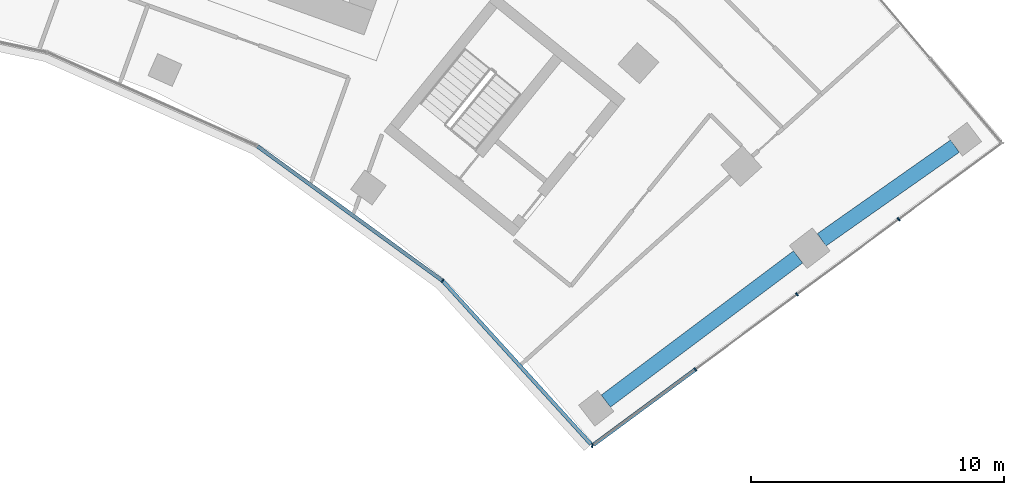
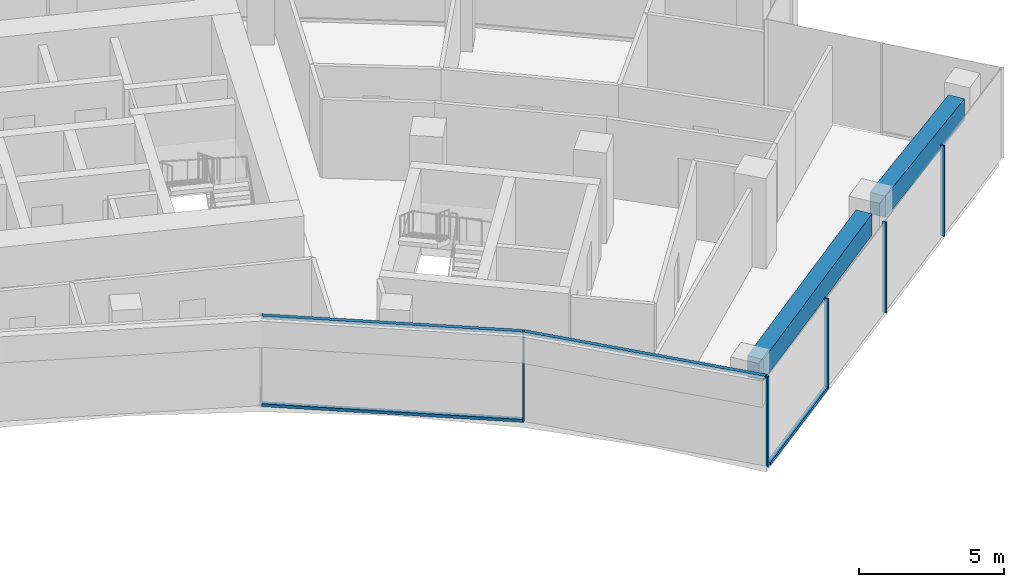
# One storey, part 8 of 19: 9 members, 2 beams, 2 elements without a shape of their own.
"""IFC4 building model written with IfcOpenShell, lengths in metres."""

from ifc_helpers import new_model, si_unit, direction, frame, origin, origin_2d, place, context, subcontext, project, spatial, rectangle, extrude, material, layer, layer_set, material_profile, profile_set, type_object, element, aggregate, save


model = new_model("IFC4")

# Units and contexts
model_context = context("Model", 3, precision=1e-05, world=origin(), true_north=direction((0.0, 1.0)))
body_context = subcontext(model_context, "Body", "Model", "MODEL_VIEW")
ifc_project = project(units=[si_unit("LENGTHUNIT", "METRE"), si_unit("AREAUNIT", "SQUARE_METRE"), si_unit("VOLUMEUNIT", "CUBIC_METRE"), si_unit("PLANEANGLEUNIT", "RADIAN"), si_unit("MASSUNIT", "GRAM", prefix="KILO")], contexts=[model_context])

# Site, building, storey
site_placement = place(None, origin())
site = spatial("IfcSite", under=ifc_project, at=site_placement, CompositionType="ELEMENT")
building_placement = place(site_placement, origin())
building = spatial("IfcBuilding", under=site, at=building_placement, Name="Stone Belt Terrace Tower", CompositionType="ELEMENT")
storey_placement = place(building_placement, frame((0.0, 0.0, 246.60009765625)))
storey = spatial("IfcBuildingStorey", under=building, at=storey_placement, Name="L60", CompositionType="ELEMENT", Elevation=246.60009765625)

# Curtain wall, members
ifc_material_1 = material(Name="Aluminium 6063-T6 anodised frame", Category="aluminium")
ifc_layer_1 = layer(ifc_material_1, 0.14990234375)
ifc_layer_set_1 = layer_set([ifc_layer_1], Name="CW-B unitised concave-face curtain wall")
curtain_wall_type_1 = type_object("IfcCurtainWallType", Name="CW-B unitised concave-face curtain wall", PredefinedType="NOTDEFINED", material=ifc_layer_set_1)
curtain_wall_1_placement = place(storey_placement, origin())
curtain_wall_1 = element("IfcCurtainWall", 1, at=curtain_wall_1_placement, inside=storey, type_object=curtain_wall_type_1, Name="CW-B concave face L60", PredefinedType="NOTDEFINED")
ifc_material_profile_1 = material_profile(ifc_material_1, rectangle(XDim=0.14990234375, YDim=0.050048828125, at=origin_2d()), Name="Aluminium 6063-T6 50x150")
ifc_profile_set_1 = profile_set([ifc_material_profile_1], Name="Aluminium 6063-T6 anodised frame")
member_type_1 = type_object("IfcMemberType", Name="CW-B mullion 50 x 150", PredefinedType="MULLION", material=ifc_profile_set_1)
member_1_placement = place(storey_placement, frame((29.056884765625, 32.270751953125, 0.0), z_axis=(0.0, 0.0, 1.0), x_axis=(0.667655571962, 0.744470306479, 0.0)))
member_1 = element("IfcMember", 2, at=member_1_placement, type_object=member_type_1, Name="CW-B mullion 8", PredefinedType="MULLION", context=body_context, shape_type="SweptSolid", body=[
    extrude(rectangle(XDim=0.14990234375, YDim=0.050048828125, at=origin_2d()), origin(), (0.0, 0.0, 1.0), 3.7998046875),
])
ifc_material_profile_2 = material_profile(ifc_material_1, rectangle(XDim=0.14990234375, YDim=0.1201171875, at=origin_2d()), Name="Aluminium 6063-T6 150x120")
ifc_profile_set_2 = profile_set([ifc_material_profile_2], Name="Aluminium 6063-T6 anodised frame")
member_type_2 = type_object("IfcMemberType", Name="CW-B transom 120 x 150", PredefinedType="USERDEFINED", material=ifc_profile_set_2)
member_2_placement = place(storey_placement, frame((21.73876953125, 37.587646484375, 0.059814453125), z_axis=(0.809012430507, -0.587791533867, 0.0), x_axis=(0.587791533867, 0.809012430507, 0.0)))
member_2 = element("IfcMember", 3, at=member_2_placement, type_object=member_type_2, Name="CW-B transom 7.1", ObjectType="TRANSOM", PredefinedType="USERDEFINED", context=body_context, shape_type="SweptSolid", body=[
    extrude(rectangle(XDim=0.14990234375, YDim=0.1201171875, at=origin_2d()), origin(), (0.0, 0.0, 1.0), 9.01318359375),
])
member_3_placement = place(storey_placement, frame((21.73876953125, 37.587646484375, 3.739990234375), z_axis=(0.809012430507, -0.587791533867, 0.0), x_axis=(0.587791533867, 0.809012430507, 0.0)))
member_3 = element("IfcMember", 4, at=member_3_placement, type_object=member_type_2, Name="CW-B transom 7.2", ObjectType="TRANSOM", PredefinedType="USERDEFINED", context=body_context, shape_type="SweptSolid", body=[
    extrude(rectangle(XDim=0.14990234375, YDim=0.1201171875, at=origin_2d()), origin(), (0.0, 0.0, 1.0), 9.01318359375),
])
member_4_placement = place(storey_placement, frame((29.07861328125, 32.24658203125, 3.739990234375), z_axis=(0.672081002182, -0.740477634035, 0.0), x_axis=(0.740477634035, 0.672081002182, 0.0)))
member_4 = element("IfcMember", 5, at=member_4_placement, type_object=member_type_2, Name="CW-B transom 8.1", ObjectType="TRANSOM", PredefinedType="USERDEFINED", context=body_context, shape_type="SweptSolid", body=[
    extrude(rectangle(XDim=0.14990234375, YDim=0.1201171875, at=origin_2d()), origin(), (0.0, 0.0, 1.0), 8.70947265625),
])
aggregate(curtain_wall_1, [member_1, member_2, member_3, member_4])

ifc_layer_2 = layer(ifc_material_1, 0.14990234375)
ifc_layer_set_2 = layer_set([ifc_layer_2], Name="CW-C stick curtain wall, horn ends and notches")
curtain_wall_type_2 = type_object("IfcCurtainWallType", Name="CW-C stick curtain wall, horn ends and notches", PredefinedType="NOTDEFINED", material=ifc_layer_set_2)
curtain_wall_2_placement = place(storey_placement, origin())
curtain_wall_2 = element("IfcCurtainWall", 6, at=curtain_wall_2_placement, inside=storey, type_object=curtain_wall_type_2, Name="CW-C end face L60", PredefinedType="NOTDEFINED")
ifc_material_profile_3 = material_profile(ifc_material_1, rectangle(XDim=0.14990234375, YDim=0.06005859375, at=origin_2d()), Name="Aluminium 6063-T6 60x150")
ifc_profile_set_3 = profile_set([ifc_material_profile_3], Name="Aluminium 6063-T6 anodised frame")
member_type_3 = type_object("IfcMemberType", Name="CW-C mullion 60 x 150", PredefinedType="MULLION", material=ifc_profile_set_3)
member_5_placement = place(storey_placement, frame((34.978271484375, 25.746337890625, 0.0), z_axis=(0.0, 0.0, 1.0), x_axis=(0.098609982845, 0.995126158476, 0.0)))
member_5 = element("IfcMember", 7, at=member_5_placement, type_object=member_type_3, Name="CW-C mullion 1", PredefinedType="MULLION", context=body_context, shape_type="SweptSolid", body=[
    extrude(rectangle(XDim=0.14990234375, YDim=0.06005859375, at=origin_2d()), origin(), (0.0, 0.0, 1.0), 3.7998046875),
])
member_6_placement = place(storey_placement, frame((39.054443359375, 28.757568359375, 0.0), z_axis=(0.0, 0.0, 1.0), x_axis=(-0.594184091865, 0.804329077539, 0.0)))
member_6 = element("IfcMember", 8, at=member_6_placement, type_object=member_type_3, Name="CW-C mullion 2", PredefinedType="MULLION", context=body_context, shape_type="SweptSolid", body=[
    extrude(rectangle(XDim=0.14990234375, YDim=0.06005859375, at=origin_2d()), origin(), (0.0, 0.0, 1.0), 3.7998046875),
])
member_7_placement = place(storey_placement, frame((43.076171875, 31.728515625, 0.0), z_axis=(0.0, 0.0, 1.0), x_axis=(-0.594184091865, 0.804329077539, 0.0)))
member_7 = element("IfcMember", 9, at=member_7_placement, type_object=member_type_3, Name="CW-C mullion 3", PredefinedType="MULLION", context=body_context, shape_type="SweptSolid", body=[
    extrude(rectangle(XDim=0.14990234375, YDim=0.06005859375, at=origin_2d()), origin(), (0.0, 0.0, 1.0), 3.7998046875),
])
member_8_placement = place(storey_placement, frame((47.097900390625, 34.699462890625, 0.0), z_axis=(0.0, 0.0, 1.0), x_axis=(-0.594184091865, 0.804329077539, 0.0)))
member_8 = element("IfcMember", 10, at=member_8_placement, type_object=member_type_3, Name="CW-C mullion 4", PredefinedType="MULLION", context=body_context, shape_type="SweptSolid", body=[
    extrude(rectangle(XDim=0.14990234375, YDim=0.06005859375, at=origin_2d()), origin(), (0.0, 0.0, 1.0), 3.7998046875),
])
ifc_material_profile_4 = material_profile(ifc_material_1, rectangle(XDim=0.14990234375, YDim=0.1201171875, at=origin_2d()), Name="Aluminium 6063-T6 150x120")
ifc_profile_set_4 = profile_set([ifc_material_profile_4], Name="Aluminium 6063-T6 anodised frame")
member_type_4 = type_object("IfcMemberType", Name="CW-C transom 120 x 150", PredefinedType="USERDEFINED", material=ifc_profile_set_4)
member_9_placement = place(storey_placement, frame((35.03662109375, 25.78955078125, 0.059814453125), z_axis=(0.804333483404, 0.594178127733, 0.0), x_axis=(-0.594178127733, 0.804333483404, 0.0)))
member_9 = element("IfcMember", 11, at=member_9_placement, type_object=member_type_4, Name="CW-C transom 1.1", ObjectType="TRANSOM", PredefinedType="USERDEFINED", context=body_context, shape_type="SweptSolid", body=[
    extrude(rectangle(XDim=0.14990234375, YDim=0.1201171875, at=origin_2d()), origin(), (0.0, 0.0, 1.0), 4.965087890625),
])
aggregate(curtain_wall_2, [member_5, member_6, member_7, member_8, member_9])

# Beams
ifc_material_2 = material(Name="Concrete B60", Category="concrete")
ifc_material_profile_5 = material_profile(ifc_material_2, rectangle(XDim=0.60009765625, YDim=0.89990234375, at=origin_2d()), Name="RC 600x900")
ifc_profile_set_5 = profile_set([ifc_material_profile_5], Name="Concrete B60")
beam_type = type_object("IfcBeamType", Name="Edge beam RC 600x900 B60", PredefinedType="SPANDREL", material=ifc_profile_set_5)
beam_1_placement = place(storey_placement, frame((35.51318359375, 27.5068359375, 2.849853515625), z_axis=(0.800073960697, 0.599901373073, 0.0), x_axis=(-0.599901373073, 0.800073960697, 0.0)))
element("IfcBeam", 12, at=beam_1_placement, inside=storey, type_object=beam_type, Name="Edge beam L60 B P to Q", PredefinedType="SPANDREL", context=body_context, shape_type="SweptSolid", body=[
    extrude(rectangle(XDim=0.60009765625, YDim=0.89990234375, at=origin_2d()), origin(), (0.0, 0.0, 1.0), 9.505859375),
])
beam_2_placement = place(storey_placement, frame((44.049560546875, 33.885498046875, 2.849853515625), z_axis=(0.817996569297, 0.575223098126, 0.0), x_axis=(-0.575223098126, 0.817996569297, 0.0)))
element("IfcBeam", 13, at=beam_2_placement, inside=storey, type_object=beam_type, Name="Edge beam L60 B Q to R", PredefinedType="SPANDREL", context=body_context, shape_type="SweptSolid", body=[
    extrude(rectangle(XDim=0.60009765625, YDim=0.89990234375, at=origin_2d()), origin(), (0.0, 0.0, 1.0), 6.444091796875),
])

save(model, "model.ifc")
